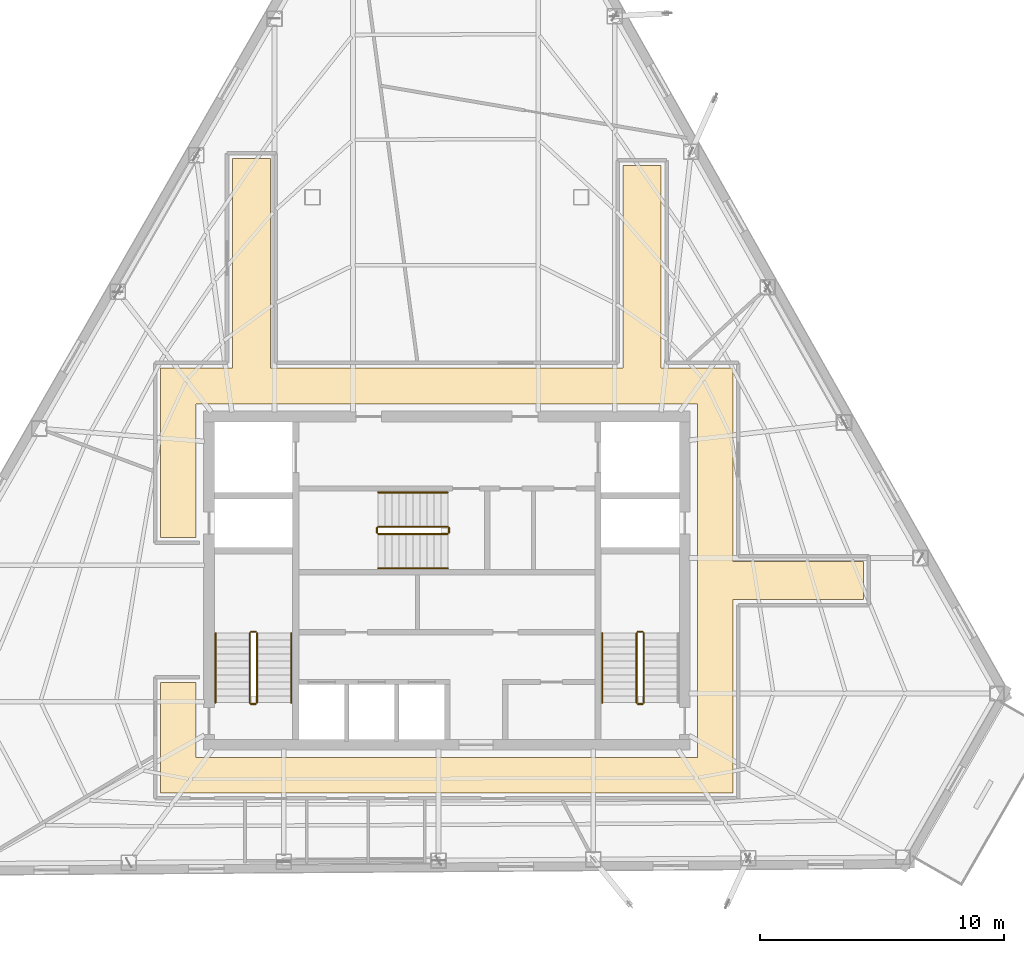
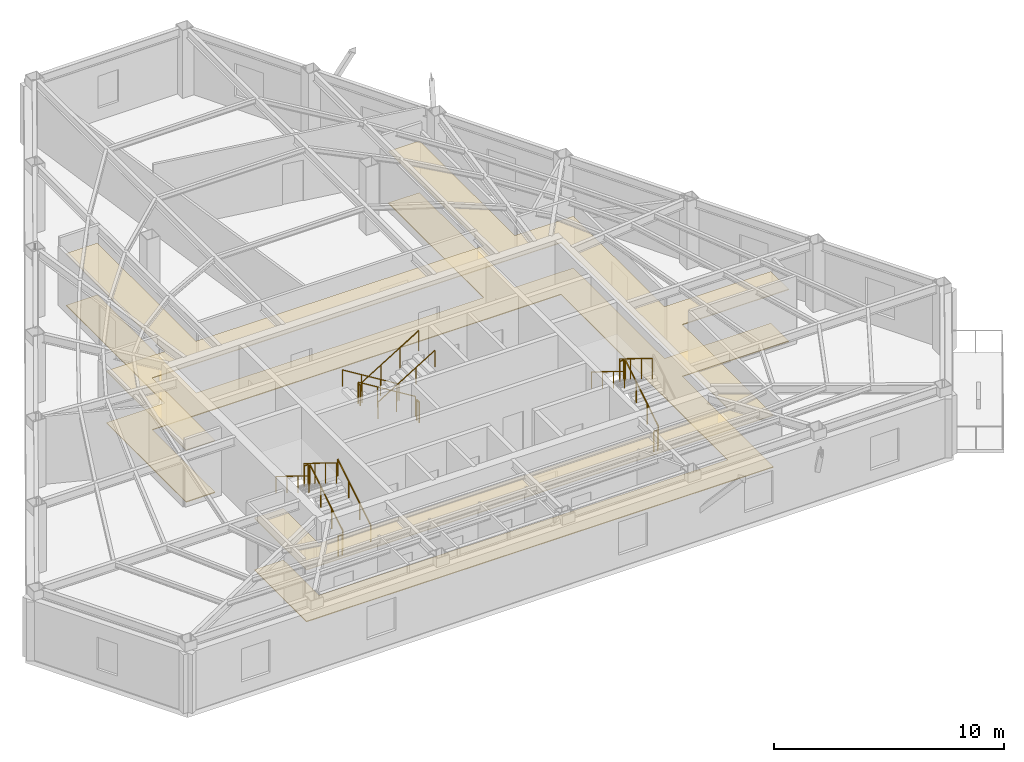
# One storey, part 11 of 12: 17 railings, 2 coverings.
"""IFC4 building model written with IfcOpenShell, lengths in metres."""

from ifc_helpers import new_model, si_unit, direction, frame, origin, origin_2d, place, context, subcontext, project, spatial, polyline, circle, outline, extrude, material, layer, layer_set, type_object, element, save


model = new_model("IFC4")

# Units and contexts
model_context = context("Model", 3, precision=1e-05, world=origin(), true_north=direction((0.0, 1.0)))
body_context = subcontext(model_context, "Body", "Model", "MODEL_VIEW")
ifc_project = project(units=[si_unit("LENGTHUNIT", "METRE"), si_unit("AREAUNIT", "SQUARE_METRE"), si_unit("VOLUMEUNIT", "CUBIC_METRE"), si_unit("PLANEANGLEUNIT", "RADIAN"), si_unit("MASSUNIT", "GRAM", prefix="KILO")], contexts=[model_context])

# Site, building, storey
site_placement = place(None, origin())
site = spatial("IfcSite", under=ifc_project, at=site_placement, CompositionType="ELEMENT")
building_placement = place(site_placement, origin())
building = spatial("IfcBuilding", under=site, at=building_placement, Name="Kavelnor Concourse Tower", CompositionType="ELEMENT")
storey_placement = place(building_placement, frame((0.0, 0.0, 226.60009765625)))
storey = spatial("IfcBuildingStorey", under=building, at=storey_placement, Name="L57", CompositionType="ELEMENT", Elevation=226.60009765625)

# Coverings
ifc_material_1 = material(Name="Mineral fibre acoustic ceiling tile")
ifc_layer_1 = layer(ifc_material_1, 0.0400390625, Name="Mineral fibre acoustic ceiling tile")
ifc_layer_set_1 = layer_set([ifc_layer_1], Name="Mineral fibre acoustic ceiling tile")
covering_type_1 = type_object("IfcCoveringType", Name="COV-CEILING-ACOUSTIC", PredefinedType="CEILING", material=ifc_layer_set_1)
covering_1_placement = place(storey_placement, frame((0.0, 0.0, 2.75)))
element("IfcCovering", 1, at=covering_1_placement, inside=storey, type_object=covering_type_1, Name="L57 Suspended Acoustic Ceiling", PredefinedType="CEILING", context=body_context, shape_type="SweptSolid", body=[
    extrude(outline(polyline([(29.219970703125, 24.800048828125), (29.219970703125, 33.378662109375), (30.780029296875, 33.378662109375), (30.780029296875, 24.800048828125), (45.219970703125, 24.800048828125), (45.219970703125, 33.09130859375), (46.780029296875, 33.09130859375), (46.780029296875, 24.800048828125), (49.719970703125, 24.800048828125), (49.719970703125, 16.8798828125), (55.0595703125, 16.8798828125), (55.0595703125, 15.320068359375), (49.719970703125, 15.320068359375), (49.719970703125, 7.39990234375), (26.280029296875, 7.39990234375), (26.280029296875, 11.929931640625), (27.739990234375, 11.929931640625), (27.739990234375, 8.860107421875), (48.260009765625, 8.860107421875), (48.260009765625, 23.340087890625), (27.739990234375, 23.340087890625), (27.739990234375, 17.8701171875), (26.280029296875, 17.8701171875), (26.280029296875, 24.800048828125), (29.219970703125, 24.800048828125)])), origin(), (0.0, 0.0, 1.0), 0.039794921875),
])
ifc_material_2 = material(Name="Honed bluestone and raised access floor finish", Category="masonry")
ifc_layer_2 = layer(ifc_material_2, 0.0400390625, Name="Honed bluestone and raised access floor finish")
ifc_layer_set_2 = layer_set([ifc_layer_2], Name="Honed bluestone and raised access floor finish")
covering_type_2 = type_object("IfcCoveringType", Name="COV-FLOOR-STONE", PredefinedType="FLOORING", material=ifc_layer_set_2)
covering_2_placement = place(storey_placement, frame((0.0, 0.0, 0.001953125)))
element("IfcCovering", 2, at=covering_2_placement, inside=storey, type_object=covering_type_2, Name="L57 Honed Bluestone Floor Finish", PredefinedType="FLOORING", context=body_context, shape_type="SweptSolid", body=[
    extrude(outline(polyline([(29.219970703125, 24.800048828125), (29.219970703125, 33.378662109375), (30.780029296875, 33.378662109375), (30.780029296875, 24.800048828125), (45.219970703125, 24.800048828125), (45.219970703125, 33.09130859375), (46.780029296875, 33.09130859375), (46.780029296875, 24.800048828125), (49.719970703125, 24.800048828125), (49.719970703125, 16.8798828125), (55.0595703125, 16.8798828125), (55.0595703125, 15.320068359375), (49.719970703125, 15.320068359375), (49.719970703125, 7.39990234375), (26.280029296875, 7.39990234375), (26.280029296875, 11.929931640625), (27.739990234375, 11.929931640625), (27.739990234375, 8.860107421875), (48.260009765625, 8.860107421875), (48.260009765625, 23.340087890625), (27.739990234375, 23.340087890625), (27.739990234375, 17.8701171875), (26.280029296875, 17.8701171875), (26.280029296875, 24.800048828125), (29.219970703125, 24.800048828125)])), origin(), (0.0, 0.0, 1.0), 0.0400390625),
])

# Railings
ifc_material_3 = material(Name="Steel Grade 350", Category="steel")
railing_type_1 = type_object("IfcRailingType", Name="RLG-GUARD-1100", PredefinedType="GUARDRAIL", material=ifc_material_3)
railing_1_placement = place(storey_placement, frame((30.22998046875, 11.10009765625, 0.1748046875)))
element("IfcRailing", 3, at=railing_1_placement, inside=storey, type_object=railing_type_1, Name="L57 ST1 stair guard 1", PredefinedType="GUARDRAIL", context=body_context, shape_type="SweptSolid", body=[
    extrude(circle(Radius=0.02392578125, at=origin_2d()), frame((0.0, 0.0, 1.076171875), z_axis=(0.0, 0.852159232446, 0.523282564737), x_axis=(-1.0, 0.0, 0.0)), (0.0, 0.0, 1.0), 3.34423828125),
    extrude(circle(Radius=0.02099609375, at=origin_2d()), origin(), (0.0, 0.0, 1.0), 1.052001953125),
    extrude(circle(Radius=0.02099609375, at=origin_2d()), frame((0.0, 0.949951171875, 0.583251953125)), (0.0, 0.0, 1.0), 1.052001953125),
    extrude(circle(Radius=0.02099609375, at=origin_2d()), frame((0.0, 1.89990234375, 1.166748046875)), (0.0, 0.0, 1.0), 1.052001953125),
    extrude(circle(Radius=0.02099609375, at=origin_2d()), frame((0.0, 2.849853515625, 1.75)), (0.0, 0.0, 1.0), 1.052001953125),
])
railing_2_placement = place(storey_placement, frame((30.179931640625, 14.0, 1.9248046875)))
element("IfcRailing", 4, at=railing_2_placement, inside=storey, type_object=railing_type_1, Name="L57 ST1 stair guard 2", PredefinedType="GUARDRAIL", context=body_context, shape_type="SweptSolid", body=[
    extrude(circle(Radius=0.02392578125, at=origin_2d()), frame((0.0, 0.0, 1.076171875), z_axis=(-1.0, 0.0, 0.0), x_axis=(0.0, -1.0, 0.0)), (0.0, 0.0, 1.0), 0.199951171875),
    extrude(circle(Radius=0.02099609375, at=origin_2d()), origin(), (0.0, 0.0, 1.0), 1.052001953125),
    extrude(circle(Radius=0.02099609375, at=origin_2d()), frame((-0.199951171875, 0.0, 0.0)), (0.0, 0.0, 1.0), 1.052001953125),
])
railing_3_placement = place(storey_placement, frame((29.929931640625, 13.949951171875, 2.099853515625)))
element("IfcRailing", 5, at=railing_3_placement, inside=storey, type_object=railing_type_1, Name="L57 ST1 stair guard 3", PredefinedType="GUARDRAIL", context=body_context, shape_type="SweptSolid", body=[
    extrude(circle(Radius=0.02392578125, at=origin_2d()), frame((0.0, 0.0, 1.076171875), z_axis=(0.0, -0.852159232446, 0.523282564737), x_axis=(1.0, 0.0, 0.0)), (0.0, 0.0, 1.0), 3.34423828125),
    extrude(circle(Radius=0.02099609375, at=origin_2d()), origin(), (0.0, 0.0, 1.0), 1.052001953125),
    extrude(circle(Radius=0.02099609375, at=origin_2d()), frame((0.0, -0.949951171875, 0.583251953125)), (0.0, 0.0, 1.0), 1.052001953125),
    extrude(circle(Radius=0.02099609375, at=origin_2d()), frame((0.0, -1.89990234375, 1.166748046875)), (0.0, 0.0, 1.0), 1.052001953125),
    extrude(circle(Radius=0.02099609375, at=origin_2d()), frame((0.0, -2.849853515625, 1.75)), (0.0, 0.0, 1.0), 1.052001953125),
])
railing_4_placement = place(storey_placement, frame((30.179931640625, 11.050048828125, 0.0)))
element("IfcRailing", 6, at=railing_4_placement, inside=storey, type_object=railing_type_1, Name="L57 ST1 stair guard 4", PredefinedType="GUARDRAIL", context=body_context, shape_type="SweptSolid", body=[
    extrude(circle(Radius=0.02392578125, at=origin_2d()), frame((0.0, 0.0, 1.076171875), z_axis=(-1.0, 0.0, 0.0), x_axis=(0.0, -1.0, 0.0)), (0.0, 0.0, 1.0), 0.199951171875),
    extrude(circle(Radius=0.02099609375, at=origin_2d()), origin(), (0.0, 0.0, 1.0), 1.052001953125),
    extrude(circle(Radius=0.02099609375, at=origin_2d()), frame((-0.199951171875, 0.0, 0.0)), (0.0, 0.0, 1.0), 1.052001953125),
])
railing_5_placement = place(storey_placement, frame((46.070068359375, 11.10009765625, 0.1748046875)))
element("IfcRailing", 7, at=railing_5_placement, inside=storey, type_object=railing_type_1, Name="L57 ST2 stair guard 1", PredefinedType="GUARDRAIL", context=body_context, shape_type="SweptSolid", body=[
    extrude(circle(Radius=0.02392578125, at=origin_2d()), frame((0.0, 0.0, 1.076171875), z_axis=(0.0, 0.852159232446, 0.523282564737), x_axis=(-1.0, 0.0, 0.0)), (0.0, 0.0, 1.0), 3.34423828125),
    extrude(circle(Radius=0.02099609375, at=origin_2d()), origin(), (0.0, 0.0, 1.0), 1.052001953125),
    extrude(circle(Radius=0.02099609375, at=origin_2d()), frame((0.0, 0.949951171875, 0.583251953125)), (0.0, 0.0, 1.0), 1.052001953125),
    extrude(circle(Radius=0.02099609375, at=origin_2d()), frame((0.0, 1.89990234375, 1.166748046875)), (0.0, 0.0, 1.0), 1.052001953125),
    extrude(circle(Radius=0.02099609375, at=origin_2d()), frame((0.0, 2.849853515625, 1.75)), (0.0, 0.0, 1.0), 1.052001953125),
])
railing_6_placement = place(storey_placement, frame((46.02001953125, 14.0, 1.9248046875)))
element("IfcRailing", 8, at=railing_6_placement, inside=storey, type_object=railing_type_1, Name="L57 ST2 stair guard 2", PredefinedType="GUARDRAIL", context=body_context, shape_type="SweptSolid", body=[
    extrude(circle(Radius=0.02392578125, at=origin_2d()), frame((0.0, 0.0, 1.076171875), z_axis=(-1.0, 0.0, 0.0), x_axis=(0.0, -1.0, 0.0)), (0.0, 0.0, 1.0), 0.199951171875),
    extrude(circle(Radius=0.02099609375, at=origin_2d()), origin(), (0.0, 0.0, 1.0), 1.052001953125),
    extrude(circle(Radius=0.02099609375, at=origin_2d()), frame((-0.199951171875, 0.0, 0.0)), (0.0, 0.0, 1.0), 1.052001953125),
])
railing_7_placement = place(storey_placement, frame((45.77001953125, 13.949951171875, 2.099853515625)))
element("IfcRailing", 9, at=railing_7_placement, inside=storey, type_object=railing_type_1, Name="L57 ST2 stair guard 3", PredefinedType="GUARDRAIL", context=body_context, shape_type="SweptSolid", body=[
    extrude(circle(Radius=0.02392578125, at=origin_2d()), frame((0.0, 0.0, 1.076171875), z_axis=(0.0, -0.852159232446, 0.523282564737), x_axis=(1.0, 0.0, 0.0)), (0.0, 0.0, 1.0), 3.34423828125),
    extrude(circle(Radius=0.02099609375, at=origin_2d()), origin(), (0.0, 0.0, 1.0), 1.052001953125),
    extrude(circle(Radius=0.02099609375, at=origin_2d()), frame((0.0, -0.949951171875, 0.583251953125)), (0.0, 0.0, 1.0), 1.052001953125),
    extrude(circle(Radius=0.02099609375, at=origin_2d()), frame((0.0, -1.89990234375, 1.166748046875)), (0.0, 0.0, 1.0), 1.052001953125),
    extrude(circle(Radius=0.02099609375, at=origin_2d()), frame((0.0, -2.849853515625, 1.75)), (0.0, 0.0, 1.0), 1.052001953125),
])
railing_8_placement = place(storey_placement, frame((46.02001953125, 11.050048828125, 0.0)))
element("IfcRailing", 10, at=railing_8_placement, inside=storey, type_object=railing_type_1, Name="L57 ST2 stair guard 4", PredefinedType="GUARDRAIL", context=body_context, shape_type="SweptSolid", body=[
    extrude(circle(Radius=0.02392578125, at=origin_2d()), frame((0.0, 0.0, 1.076171875), z_axis=(-1.0, 0.0, 0.0), x_axis=(0.0, -1.0, 0.0)), (0.0, 0.0, 1.0), 0.199951171875),
    extrude(circle(Radius=0.02099609375, at=origin_2d()), origin(), (0.0, 0.0, 1.0), 1.052001953125),
    extrude(circle(Radius=0.02099609375, at=origin_2d()), frame((-0.199951171875, 0.0, 0.0)), (0.0, 0.0, 1.0), 1.052001953125),
])
railing_9_placement = place(storey_placement, frame((38.0400390625, 18.31005859375, 0.1748046875)))
element("IfcRailing", 11, at=railing_9_placement, inside=storey, type_object=railing_type_1, Name="L57 ST3 stair guard 1", PredefinedType="GUARDRAIL", context=body_context, shape_type="SweptSolid", body=[
    extrude(circle(Radius=0.02392578125, at=origin_2d()), frame((0.0, 0.0, 1.076171875), z_axis=(-0.852179220489, 0.0, 0.52325001306), x_axis=(0.0, -1.0, 0.0)), (0.0, 0.0, 1.0), 3.344482421875),
    extrude(circle(Radius=0.02099609375, at=origin_2d()), origin(), (0.0, 0.0, 1.0), 1.052001953125),
    extrude(circle(Radius=0.02099609375, at=origin_2d()), frame((-0.949951171875, 0.0, 0.583251953125)), (0.0, 0.0, 1.0), 1.052001953125),
    extrude(circle(Radius=0.02099609375, at=origin_2d()), frame((-1.900146484375, 0.0, 1.166748046875)), (0.0, 0.0, 1.0), 1.052001953125),
    extrude(circle(Radius=0.02099609375, at=origin_2d()), frame((-2.85009765625, 0.0, 1.75)), (0.0, 0.0, 1.0), 1.052001953125),
])
railing_10_placement = place(storey_placement, frame((35.139892578125, 18.260009765625, 1.9248046875)))
element("IfcRailing", 12, at=railing_10_placement, inside=storey, type_object=railing_type_1, Name="L57 ST3 stair guard 2", PredefinedType="GUARDRAIL", context=body_context, shape_type="SweptSolid", body=[
    extrude(circle(Radius=0.02392578125, at=origin_2d()), frame((0.0, 0.0, 1.076171875), z_axis=(0.0, -1.0, 0.0), x_axis=(1.0, 0.0, 0.0)), (0.0, 0.0, 1.0), 0.199951171875),
    extrude(circle(Radius=0.02099609375, at=origin_2d()), origin(), (0.0, 0.0, 1.0), 1.052001953125),
    extrude(circle(Radius=0.02099609375, at=origin_2d()), frame((0.0, -0.199951171875, 0.0)), (0.0, 0.0, 1.0), 1.052001953125),
])
railing_11_placement = place(storey_placement, frame((35.18994140625, 18.010009765625, 2.099853515625)))
element("IfcRailing", 13, at=railing_11_placement, inside=storey, type_object=railing_type_1, Name="L57 ST3 stair guard 3", PredefinedType="GUARDRAIL", context=body_context, shape_type="SweptSolid", body=[
    extrude(circle(Radius=0.02392578125, at=origin_2d()), frame((0.0, 0.0, 1.076171875), z_axis=(0.852179220489, 0.0, 0.52325001306), x_axis=(0.0, 1.0, 0.0)), (0.0, 0.0, 1.0), 3.344482421875),
    extrude(circle(Radius=0.02099609375, at=origin_2d()), origin(), (0.0, 0.0, 1.0), 1.052001953125),
    extrude(circle(Radius=0.02099609375, at=origin_2d()), frame((0.949951171875, 0.0, 0.583251953125)), (0.0, 0.0, 1.0), 1.052001953125),
    extrude(circle(Radius=0.02099609375, at=origin_2d()), frame((1.900146484375, 0.0, 1.166748046875)), (0.0, 0.0, 1.0), 1.052001953125),
    extrude(circle(Radius=0.02099609375, at=origin_2d()), frame((2.85009765625, 0.0, 1.75)), (0.0, 0.0, 1.0), 1.052001953125),
])
railing_12_placement = place(storey_placement, frame((38.090087890625, 18.260009765625, 0.0)))
element("IfcRailing", 14, at=railing_12_placement, inside=storey, type_object=railing_type_1, Name="L57 ST3 stair guard 4", PredefinedType="GUARDRAIL", context=body_context, shape_type="SweptSolid", body=[
    extrude(circle(Radius=0.02392578125, at=origin_2d()), frame((0.0, 0.0, 1.076171875), z_axis=(0.0, -1.0, 0.0), x_axis=(1.0, 0.0, 0.0)), (0.0, 0.0, 1.0), 0.199951171875),
    extrude(circle(Radius=0.02099609375, at=origin_2d()), origin(), (0.0, 0.0, 1.0), 1.052001953125),
    extrude(circle(Radius=0.02099609375, at=origin_2d()), frame((0.0, -0.199951171875, 0.0)), (0.0, 0.0, 1.0), 1.052001953125),
])
railing_type_2 = type_object("IfcRailingType", Name="RLG-HANDRAIL-900", PredefinedType="HANDRAIL", material=ifc_material_3)
railing_13_placement = place(storey_placement, frame((31.6298828125, 11.10009765625, 0.1748046875)))
element("IfcRailing", 15, at=railing_13_placement, inside=storey, type_object=railing_type_2, Name="L57 ST1 stair handrail 1", PredefinedType="HANDRAIL", context=body_context, shape_type="SweptSolid", body=[
    extrude(circle(Radius=0.02392578125, at=origin_2d()), frame((0.0, 0.0, 0.8759765625), z_axis=(0.0, 0.852159232446, 0.523282564737), x_axis=(-1.0, 0.0, 0.0)), (0.0, 0.0, 1.0), 3.34423828125),
    extrude(circle(Radius=0.02099609375, at=origin_2d()), origin(), (0.0, 0.0, 1.0), 0.851806640625),
    extrude(circle(Radius=0.02099609375, at=origin_2d()), frame((0.0, 0.949951171875, 0.583251953125)), (0.0, 0.0, 1.0), 0.851806640625),
    extrude(circle(Radius=0.02099609375, at=origin_2d()), frame((0.0, 1.89990234375, 1.166748046875)), (0.0, 0.0, 1.0), 0.851806640625),
    extrude(circle(Radius=0.02099609375, at=origin_2d()), frame((0.0, 2.849853515625, 1.75)), (0.0, 0.0, 1.0), 0.851806640625),
])
for number, where, name in (
    (16, (28.530029296875, 13.949951171875, 2.099853515625), "L57 ST1 stair handrail 2"),
    (17, (44.3701171875, 13.949951171875, 2.099853515625), "L57 ST2 stair handrail 2"),
):
    element("IfcRailing", number, at=place(storey_placement, frame(where)), inside=storey, type_object=railing_type_2, Name=name, PredefinedType="HANDRAIL", context=body_context, shape_type="SweptSolid", body=[
        extrude(circle(Radius=0.02392578125, at=origin_2d()), frame((0.0, 0.0, 0.8759765625), z_axis=(0.0, -0.852159232446, 0.523282564737), x_axis=(1.0, 0.0, 0.0)), (0.0, 0.0, 1.0), 3.34423828125),
        extrude(circle(Radius=0.02099609375, at=origin_2d()), origin(), (0.0, 0.0, 1.0), 0.851806640625),
        extrude(circle(Radius=0.02099609375, at=origin_2d()), frame((0.0, -0.949951171875, 0.583251953125)), (0.0, 0.0, 1.0), 0.851806640625),
        extrude(circle(Radius=0.02099609375, at=origin_2d()), frame((0.0, -1.89990234375, 1.166748046875)), (0.0, 0.0, 1.0), 0.851806640625),
        extrude(circle(Radius=0.02099609375, at=origin_2d()), frame((0.0, -2.849853515625, 1.75)), (0.0, 0.0, 1.0), 0.851806640625),
    ])
railing_14_placement = place(storey_placement, frame((38.0400390625, 19.7099609375, 0.1748046875)))
element("IfcRailing", 18, at=railing_14_placement, inside=storey, type_object=railing_type_2, Name="L57 ST3 stair handrail 1", PredefinedType="HANDRAIL", context=body_context, shape_type="SweptSolid", body=[
    extrude(circle(Radius=0.02392578125, at=origin_2d()), frame((0.0, 0.0, 0.8759765625), z_axis=(-0.852179220489, 0.0, 0.52325001306), x_axis=(0.0, -1.0, 0.0)), (0.0, 0.0, 1.0), 3.344482421875),
    extrude(circle(Radius=0.02099609375, at=origin_2d()), origin(), (0.0, 0.0, 1.0), 0.851806640625),
    extrude(circle(Radius=0.02099609375, at=origin_2d()), frame((-0.949951171875, 0.0, 0.583251953125)), (0.0, 0.0, 1.0), 0.851806640625),
    extrude(circle(Radius=0.02099609375, at=origin_2d()), frame((-1.900146484375, 0.0, 1.166748046875)), (0.0, 0.0, 1.0), 0.851806640625),
    extrude(circle(Radius=0.02099609375, at=origin_2d()), frame((-2.85009765625, 0.0, 1.75)), (0.0, 0.0, 1.0), 0.851806640625),
])
railing_15_placement = place(storey_placement, frame((35.18994140625, 16.610107421875, 2.099853515625)))
element("IfcRailing", 19, at=railing_15_placement, inside=storey, type_object=railing_type_2, Name="L57 ST3 stair handrail 2", PredefinedType="HANDRAIL", context=body_context, shape_type="SweptSolid", body=[
    extrude(circle(Radius=0.02392578125, at=origin_2d()), frame((0.0, 0.0, 0.8759765625), z_axis=(0.852179220489, 0.0, 0.52325001306), x_axis=(0.0, 1.0, 0.0)), (0.0, 0.0, 1.0), 3.344482421875),
    extrude(circle(Radius=0.02099609375, at=origin_2d()), origin(), (0.0, 0.0, 1.0), 0.851806640625),
    extrude(circle(Radius=0.02099609375, at=origin_2d()), frame((0.949951171875, 0.0, 0.583251953125)), (0.0, 0.0, 1.0), 0.851806640625),
    extrude(circle(Radius=0.02099609375, at=origin_2d()), frame((1.900146484375, 0.0, 1.166748046875)), (0.0, 0.0, 1.0), 0.851806640625),
    extrude(circle(Radius=0.02099609375, at=origin_2d()), frame((2.85009765625, 0.0, 1.75)), (0.0, 0.0, 1.0), 0.851806640625),
])

save(model, "model.ifc")
